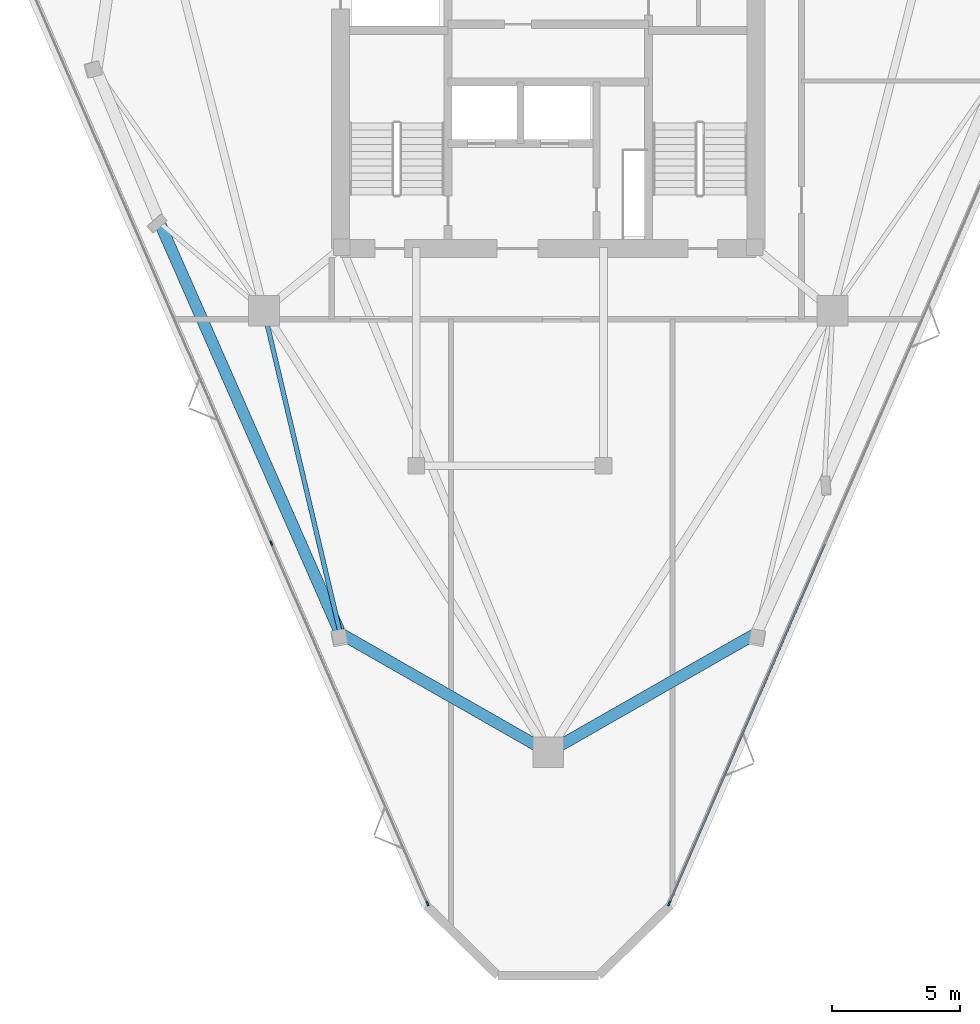
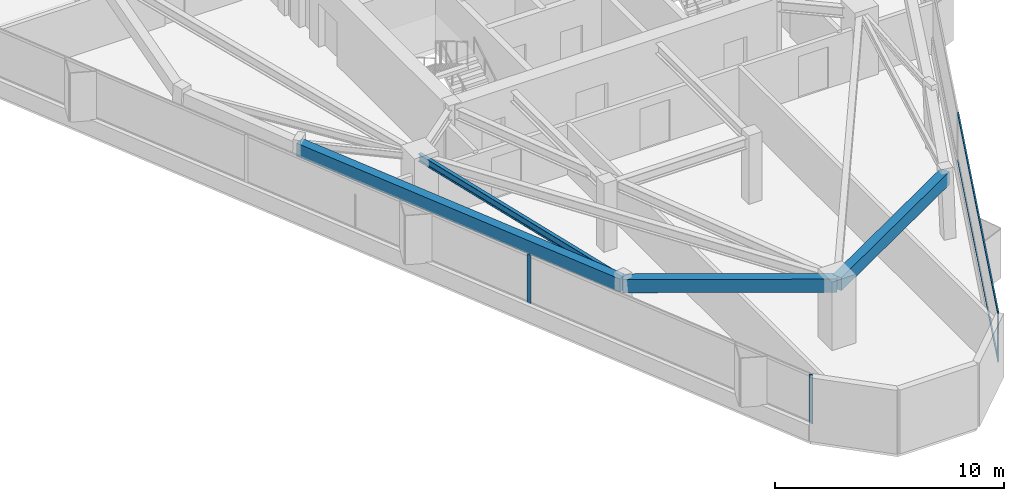
# One storey, part 2 of 12: 5 members, 4 beams, 2 elements without a shape of their own.
"""IFC4 building model written with IfcOpenShell, lengths in metres."""

from ifc_helpers import new_model, si_unit, direction, frame, origin, origin_2d, place, context, subcontext, project, spatial, rectangle, i_section, extrude, material, layer, layer_set, material_profile, profile_set, type_object, element, aggregate, save


model = new_model("IFC4")

# Units and contexts
model_context = context("Model", 3, precision=1e-05, world=origin(), true_north=direction((0.0, 1.0)))
body_context = subcontext(model_context, "Body", "Model", "MODEL_VIEW")
ifc_project = project(units=[si_unit("LENGTHUNIT", "METRE"), si_unit("AREAUNIT", "SQUARE_METRE"), si_unit("VOLUMEUNIT", "CUBIC_METRE"), si_unit("PLANEANGLEUNIT", "RADIAN"), si_unit("MASSUNIT", "GRAM", prefix="KILO")], contexts=[model_context])

# Site, building, storey
site_placement = place(None, origin())
site = spatial("IfcSite", under=ifc_project, at=site_placement, CompositionType="ELEMENT")
building_placement = place(site_placement, origin())
building = spatial("IfcBuilding", under=site, at=building_placement, Name="Talyreon Biosciences Tower", CompositionType="ELEMENT")
storey_placement = place(building_placement, frame((0.0, 0.0, 246.199951171875)))
storey = spatial("IfcBuildingStorey", under=building, at=storey_placement, Name="L65", CompositionType="ELEMENT", Elevation=246.199951171875)

# Curtain wall, members
ifc_material_1 = material(Name="Thermally broken aluminium and low-E glazing", Category="aluminium")
ifc_layer = layer(ifc_material_1, 0.175048828125)
ifc_layer_set = layer_set([ifc_layer], Name="Thermally broken aluminium and low-E glazing")
curtain_wall_type = type_object("IfcCurtainWallType", Name="CurtainWall_Zone5CompLab", PredefinedType="NOTDEFINED", material=ifc_layer_set)
curtain_wall_1_placement = place(storey_placement, origin())
curtain_wall_1 = element("IfcCurtainWall", 1, at=curtain_wall_1_placement, inside=storey, type_object=curtain_wall_type, Name="L65 Unitised Curtain Wall FCW-L65-00", PredefinedType="NOTDEFINED")
ifc_material_2 = material(Name="Anodised thermally broken aluminium", Category="aluminium")
ifc_material_profile_1 = material_profile(ifc_material_2, rectangle(XDim=0.06494140625, YDim=0.179931640625, at=origin_2d()), Name="ALUM MULLION 65x180")
ifc_profile_set_1 = profile_set([ifc_material_profile_1], Name="Anodised thermally broken aluminium")
member_type_1 = type_object("IfcMemberType", Name="CWMullion_65x180", PredefinedType="MULLION", material=ifc_profile_set_1)
member_1_placement = place(storey_placement, frame((61.2890625, 35.763671875, 0.81005859375), z_axis=(0.0, 0.0, 1.0), x_axis=(-0.91758594353, -0.397537465198, 0.0)))
member_1 = element("IfcMember", 2, at=member_1_placement, type_object=member_type_1, Name="CW6 mullion 1", PredefinedType="MULLION", context=body_context, shape_type="SweptSolid", body=[
    extrude(rectangle(XDim=0.06494140625, YDim=0.179931640625, at=origin_2d()), origin(), (0.0, 0.0, 1.0), 2.590087890625),
])
member_2_placement = place(storey_placement, frame((55.20068359375, 49.816650390625, 0.81005859375), z_axis=(0.0, 0.0, 1.0), x_axis=(-0.91758594353, -0.397537465198, 0.0)))
member_2 = element("IfcMember", 3, at=member_2_placement, type_object=member_type_1, Name="CW6 mullion 2", PredefinedType="MULLION", context=body_context, shape_type="SweptSolid", body=[
    extrude(rectangle(XDim=0.06494140625, YDim=0.179931640625, at=origin_2d()), origin(), (0.0, 0.0, 1.0), 2.590087890625),
])
aggregate(curtain_wall_1, [member_1, member_2])

curtain_wall_2_placement = place(storey_placement, origin())
curtain_wall_2 = element("IfcCurtainWall", 4, at=curtain_wall_2_placement, inside=storey, type_object=curtain_wall_type, Name="L65 Unitised Curtain Wall FCW-L65-08", PredefinedType="NOTDEFINED")
member_3_placement = place(storey_placement, frame((70.7109375, 35.763671875, 0.81005859375), z_axis=(0.0, 0.0, 1.0), x_axis=(0.91758594353, -0.397537465198, 0.0)))
member_3 = element("IfcMember", 5, at=member_3_placement, type_object=member_type_1, Name="CW6 mullion 4", PredefinedType="MULLION", context=body_context, shape_type="SweptSolid", body=[
    extrude(rectangle(XDim=0.06494140625, YDim=0.179931640625, at=origin_2d()), origin(), (0.0, 0.0, 1.0), 2.590087890625),
])
ifc_material_profile_2 = material_profile(ifc_material_2, rectangle(XDim=0.06494140625, YDim=0.139892578125, at=origin_2d()), Name="ALUM TRANSOM 65x140")
ifc_profile_set_2 = profile_set([ifc_material_profile_2], Name="Anodised thermally broken aluminium")
member_type_2 = type_object("IfcMemberType", Name="CWTransom_65x140", PredefinedType="USERDEFINED", material=ifc_profile_set_2)
member_4_placement = place(storey_placement, frame((76.786376953125, 49.786865234375, 0.842529296875), z_axis=(-0.397535103943, -0.917586966523, 0.0), x_axis=(0.917586966523, -0.397535103943, 0.0)))
member_4 = element("IfcMember", 6, at=member_4_placement, type_object=member_type_2, Name="CW6 transom 3.1", ObjectType="TRANSOM", PredefinedType="USERDEFINED", context=body_context, shape_type="SweptSolid", body=[
    extrude(rectangle(XDim=0.06494140625, YDim=0.139892578125, at=origin_2d()), origin(), (0.0, 0.0, 1.0), 15.250244140625),
])
member_5_placement = place(storey_placement, frame((76.786376953125, 49.786865234375, 3.367431640625), z_axis=(-0.397535103943, -0.917586966523, 0.0), x_axis=(0.917586966523, -0.397535103943, 0.0)))
member_5 = element("IfcMember", 7, at=member_5_placement, type_object=member_type_2, Name="CW6 transom 3.2", ObjectType="TRANSOM", PredefinedType="USERDEFINED", context=body_context, shape_type="SweptSolid", body=[
    extrude(rectangle(XDim=0.06494140625, YDim=0.139892578125, at=origin_2d()), origin(), (0.0, 0.0, 1.0), 15.250244140625),
])
aggregate(curtain_wall_2, [member_3, member_4, member_5])

# Beams
ifc_material_3 = material(Name="Precast concrete C45/55", Category="concrete")
ifc_material_profile_3 = material_profile(ifc_material_3, rectangle(XDim=0.449951171875, YDim=0.699951171875, at=origin_2d()), Name="RCB 450x700")
ifc_profile_set_3 = profile_set([ifc_material_profile_3], Name="Precast concrete C45/55")
beam_type_1 = type_object("IfcBeamType", Name="ExpressedSpandrel_450x700", PredefinedType="SPANDREL", material=ifc_profile_set_3)
beam_1_placement = place(storey_placement, frame((66.0, 41.6669921875, 3.050048828125), z_axis=(0.868333219933, 0.495981268962, 0.0), x_axis=(-0.495981268962, 0.868333219933, 0.0)))
element("IfcBeam", 8, at=beam_1_placement, inside=storey, type_object=beam_type_1, Name="L65 Expressed Horizontal Concrete Spandrel 01", PredefinedType="SPANDREL", context=body_context, shape_type="SweptSolid", body=[
    extrude(rectangle(XDim=0.449951171875, YDim=0.699951171875, at=origin_2d()), origin(), (0.0, 0.0, 1.0), 9.338623046875),
])
beam_2_placement = place(storey_placement, frame((50.843505859375, 62.3134765625, 3.050048828125), z_axis=(0.402782569289, -0.915295690953, 0.0), x_axis=(0.915295690953, 0.402782569289, 0.0)))
element("IfcBeam", 9, at=beam_2_placement, inside=storey, type_object=beam_type_1, Name="L65 Expressed Horizontal Concrete Spandrel 11", PredefinedType="SPANDREL", context=body_context, shape_type="SweptSolid", body=[
    extrude(rectangle(XDim=0.449951171875, YDim=0.699951171875, at=origin_2d()), origin(), (0.0, 0.0, 1.0), 17.49658203125),
])
beam_3_placement = place(storey_placement, frame((57.890869140625, 46.298828125, 3.050048828125), z_axis=(0.868333219933, -0.495981268962, 0.0), x_axis=(0.495981268962, 0.868333219933, 0.0)))
element("IfcBeam", 10, at=beam_3_placement, inside=storey, type_object=beam_type_1, Name="L65 Expressed Horizontal Concrete Spandrel 12", PredefinedType="SPANDREL", context=body_context, shape_type="SweptSolid", body=[
    extrude(rectangle(XDim=0.449951171875, YDim=0.699951171875, at=origin_2d()), origin(), (0.0, 0.0, 1.0), 9.338623046875),
])
ifc_material_4 = material(Name="Steel SM355", Category="steel")
ifc_material_profile_4 = material_profile(ifc_material_4, i_section(OverallWidth=0.179931640625, OverallDepth=0.39990234375, WebThickness=0.008544921875, FlangeThickness=0.013427734375, FilletRadius=0.02099609375, at=origin_2d()), Name="IPE400")
ifc_profile_set_4 = profile_set([ifc_material_profile_4], Name="Steel SM355")
beam_type_2 = type_object("IfcBeamType", Name="SteelJoist_IPE400", PredefinedType="JOIST", material=ifc_profile_set_4)
beam_4_placement = place(storey_placement, frame((54.913818359375, 58.88037109375, 3.199951171875), z_axis=(0.230262167452, -0.973128631909, 0.0), x_axis=(0.973128631909, 0.230262167452, 0.0)))
element("IfcBeam", 11, at=beam_4_placement, inside=storey, type_object=beam_type_2, Name="L65 Radial Composite Floor Joist PC-SW2", PredefinedType="JOIST", context=body_context, shape_type="SweptSolid", body=[
    extrude(i_section(OverallWidth=0.179931640625, OverallDepth=0.39990234375, WebThickness=0.008544921875, FlangeThickness=0.013427734375, FilletRadius=0.02099609375, at=origin_2d()), origin(), (0.0, 0.0, 1.0), 12.928955078125),
])

save(model, "model.ifc")
